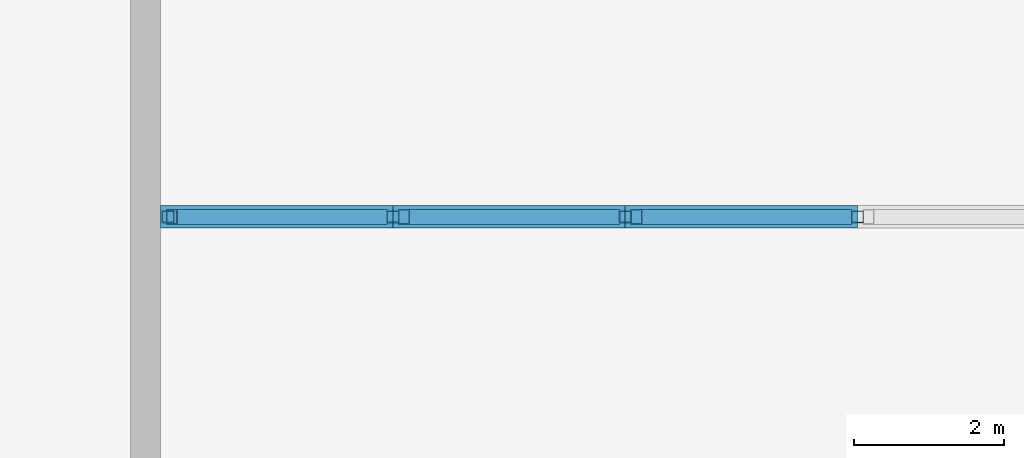
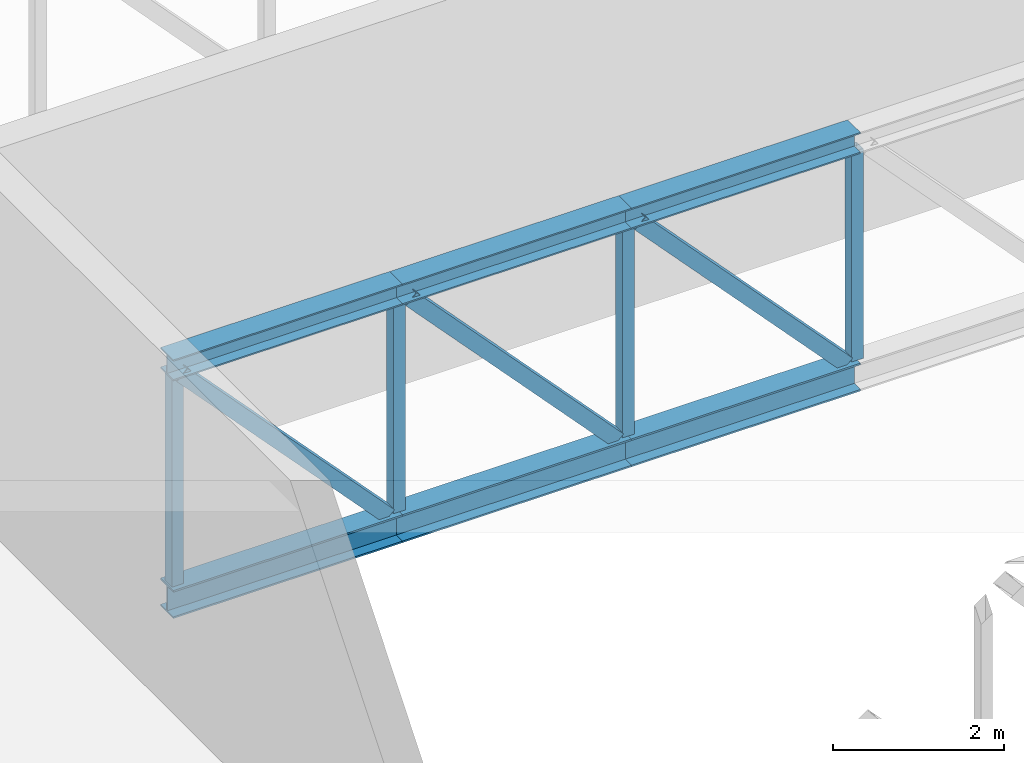
# One storey, part 4 of 26: 13 members.
"""IFC4 building model written with IfcOpenShell, lengths in metres."""

from ifc_helpers import new_model, si_unit, direction, frame, origin, origin_2d, place, context, subcontext, project, spatial, hollow_rectangle, i_section, extrude, material, material_profile, profile_set, type_object, element, save


model = new_model("IFC4")

# Units and contexts
model_context = context("Model", 3, precision=1e-05, world=origin(), true_north=direction((0.0, 1.0)))
body_context = subcontext(model_context, "Body", "Model", "MODEL_VIEW")
ifc_project = project(units=[si_unit("LENGTHUNIT", "METRE"), si_unit("AREAUNIT", "SQUARE_METRE"), si_unit("VOLUMEUNIT", "CUBIC_METRE"), si_unit("PLANEANGLEUNIT", "RADIAN"), si_unit("MASSUNIT", "GRAM", prefix="KILO")], contexts=[model_context])

# Site, building, storey
site_placement = place(None, origin())
site = spatial("IfcSite", under=ifc_project, at=site_placement, CompositionType="ELEMENT")
building_placement = place(site_placement, origin())
building = spatial("IfcBuilding", under=site, at=building_placement, Name="Candeia Pilgrim Tower and Theatre", CompositionType="ELEMENT")
storey_placement = place(building_placement, frame((0.0, 0.0, 34.0)))
storey = spatial("IfcBuildingStorey", under=building, at=storey_placement, Name="L05", CompositionType="ELEMENT", Elevation=34.0)

# Members
ifc_material = material(Name="Steel S355", Category="steel")
ifc_material_profile_1 = material_profile(ifc_material, i_section(OverallWidth=0.300048828125, OverallDepth=0.300048828125, WebThickness=0.010986328125, FlangeThickness=0.01904296875, at=origin_2d()))
ifc_profile_set_1 = profile_set([ifc_material_profile_1], Name="Steel S355")
member_type_1 = type_object("IfcMemberType", Name="Truss chord HEB 300", PredefinedType="CHORD", material=ifc_profile_set_1)
member_1_placement = place(storey_placement, frame((193.0, 95.39990234375, 4.35009765625), z_axis=(1.0, 0.0, 0.0), x_axis=(0.0, 1.0, 0.0)))
element("IfcMember", 1, at=member_1_placement, inside=storey, type_object=member_type_1, Name="Truss 4 top chord 1", PredefinedType="CHORD", context=body_context, shape_type="SweptSolid", body=[
    extrude(i_section(OverallWidth=0.300048828125, OverallDepth=0.300048828125, WebThickness=0.010986328125, FlangeThickness=0.01904296875, at=origin_2d()), origin(), (0.0, 0.0, 1.0), 3.10009765625),
])
member_2_placement = place(storey_placement, frame((196.10009765625, 95.39990234375, 4.35009765625), z_axis=(1.0, 0.0, 0.0), x_axis=(0.0, 1.0, 0.0)))
element("IfcMember", 2, at=member_2_placement, inside=storey, type_object=member_type_1, Name="Truss 4 top chord 2", PredefinedType="CHORD", context=body_context, shape_type="SweptSolid", body=[
    extrude(i_section(OverallWidth=0.300048828125, OverallDepth=0.300048828125, WebThickness=0.010986328125, FlangeThickness=0.01904296875, at=origin_2d()), origin(), (0.0, 0.0, 1.0), 3.099853515625),
])
member_3_placement = place(storey_placement, frame((199.199951171875, 95.39990234375, 4.35009765625), z_axis=(1.0, 0.0, 0.0), x_axis=(0.0, 1.0, 0.0)))
element("IfcMember", 3, at=member_3_placement, inside=storey, type_object=member_type_1, Name="Truss 4 top chord 3", PredefinedType="CHORD", context=body_context, shape_type="SweptSolid", body=[
    extrude(i_section(OverallWidth=0.300048828125, OverallDepth=0.300048828125, WebThickness=0.010986328125, FlangeThickness=0.01904296875, at=origin_2d()), origin(), (0.0, 0.0, 1.0), 3.10009765625),
])
ifc_material_profile_2 = material_profile(ifc_material, i_section(OverallWidth=0.300048828125, OverallDepth=0.39990234375, WebThickness=0.013427734375, FlangeThickness=0.02392578125, at=origin_2d()))
ifc_profile_set_2 = profile_set([ifc_material_profile_2], Name="Steel S355")
member_type_2 = type_object("IfcMemberType", Name="Truss chord HEB 400", PredefinedType="CHORD", material=ifc_profile_set_2)
member_4_placement = place(storey_placement, frame((193.0, 95.39990234375, 1.0), z_axis=(1.0, 0.0, 0.0), x_axis=(0.0, 1.0, 0.0)))
element("IfcMember", 4, at=member_4_placement, inside=storey, type_object=member_type_2, Name="Truss 4 bottom chord 1", PredefinedType="CHORD", context=body_context, shape_type="SweptSolid", body=[
    extrude(i_section(OverallWidth=0.300048828125, OverallDepth=0.39990234375, WebThickness=0.013427734375, FlangeThickness=0.02392578125, at=origin_2d()), origin(), (0.0, 0.0, 1.0), 3.10009765625),
])
member_5_placement = place(storey_placement, frame((196.10009765625, 95.39990234375, 1.0), z_axis=(1.0, 0.0, 0.0), x_axis=(0.0, 1.0, 0.0)))
element("IfcMember", 5, at=member_5_placement, inside=storey, type_object=member_type_2, Name="Truss 4 bottom chord 2", PredefinedType="CHORD", context=body_context, shape_type="SweptSolid", body=[
    extrude(i_section(OverallWidth=0.300048828125, OverallDepth=0.39990234375, WebThickness=0.013427734375, FlangeThickness=0.02392578125, at=origin_2d()), origin(), (0.0, 0.0, 1.0), 3.099853515625),
])
member_6_placement = place(storey_placement, frame((199.199951171875, 95.39990234375, 1.0), z_axis=(1.0, 0.0, 0.0), x_axis=(0.0, 1.0, 0.0)))
element("IfcMember", 6, at=member_6_placement, inside=storey, type_object=member_type_2, Name="Truss 4 bottom chord 3", PredefinedType="CHORD", context=body_context, shape_type="SweptSolid", body=[
    extrude(i_section(OverallWidth=0.300048828125, OverallDepth=0.39990234375, WebThickness=0.013427734375, FlangeThickness=0.02392578125, at=origin_2d()), origin(), (0.0, 0.0, 1.0), 3.10009765625),
])
ifc_material_profile_3 = material_profile(ifc_material, hollow_rectangle(XDim=0.199951171875, YDim=0.199951171875, WallThickness=0.010009765625, at=origin_2d()))
ifc_profile_set_3 = profile_set([ifc_material_profile_3], Name="Steel S355")
member_type_3 = type_object("IfcMemberType", Name="Truss diagonal SHS 200x200x10", PredefinedType="BRACE", material=ifc_profile_set_3)
for number, where, z_axis, x_axis, name in (
    (7, (193.14990234375, 95.39990234375, 4.199951171875), (0.682324609438, 0.0, -0.731049333052), (0.0, 1.0, 0.0), "Truss 4 diagonal 1"),
    (8, (196.25, 95.39990234375, 4.199951171875), (0.682324609438, 0.0, -0.731049333052), (0.0, 1.0, 0.0), "Truss 4 diagonal 2"),
):
    element("IfcMember", number, at=place(storey_placement, frame(where, z_axis=z_axis, x_axis=x_axis)), inside=storey, type_object=member_type_3, Name=name, PredefinedType="BRACE", context=body_context, shape_type="SweptSolid", body=[
        extrude(hollow_rectangle(XDim=0.199951171875, YDim=0.199951171875, WallThickness=0.010009765625, at=origin_2d()), origin(), (0.0, 0.0, 1.0), 4.103759765625),
    ])
member_7_placement = place(storey_placement, frame((199.35009765625, 95.39990234375, 4.199951171875), z_axis=(0.6822928125, 0.0, -0.731079009417), x_axis=(0.0, 1.0, 0.0)))
element("IfcMember", 9, at=member_7_placement, inside=storey, type_object=member_type_3, Name="Truss 4 diagonal 3", PredefinedType="BRACE", context=body_context, shape_type="SweptSolid", body=[
    extrude(hollow_rectangle(XDim=0.199951171875, YDim=0.199951171875, WallThickness=0.010009765625, at=origin_2d()), origin(), (0.0, 0.0, 1.0), 4.103515625),
])
ifc_material_profile_4 = material_profile(ifc_material, hollow_rectangle(XDim=0.159912109375, YDim=0.159912109375, WallThickness=0.008056640625, at=origin_2d()))
ifc_profile_set_4 = profile_set([ifc_material_profile_4], Name="Steel S355")
member_type_4 = type_object("IfcMemberType", Name="Truss post SHS 160x160x8", PredefinedType="POST", material=ifc_profile_set_4)
for number, where, z_axis, x_axis, name in (
    (10, (193.10009765625, 95.39990234375, 1.199951171875), (0.0, 0.0, 1.0), (1.0, 0.0, 0.0), "Truss 4 post 1"),
    (11, (196.10009765625, 95.39990234375, 1.199951171875), (0.0, 0.0, 1.0), (1.0, 0.0, 0.0), "Truss 4 post 2"),
    (12, (199.199951171875, 95.39990234375, 1.199951171875), (0.0, 0.0, 1.0), (1.0, 0.0, 0.0), "Truss 4 post 3"),
    (13, (202.300048828125, 95.39990234375, 1.199951171875), (0.0, 0.0, 1.0), (1.0, 0.0, 0.0), "Truss 4 post 4"),
):
    element("IfcMember", number, at=place(storey_placement, frame(where, z_axis=z_axis, x_axis=x_axis)), inside=storey, type_object=member_type_4, Name=name, PredefinedType="POST", context=body_context, shape_type="SweptSolid", body=[
        extrude(hollow_rectangle(XDim=0.159912109375, YDim=0.159912109375, WallThickness=0.008056640625, at=origin_2d()), origin(), (0.0, 0.0, 1.0), 3.0),
    ])

save(model, "model.ifc")
